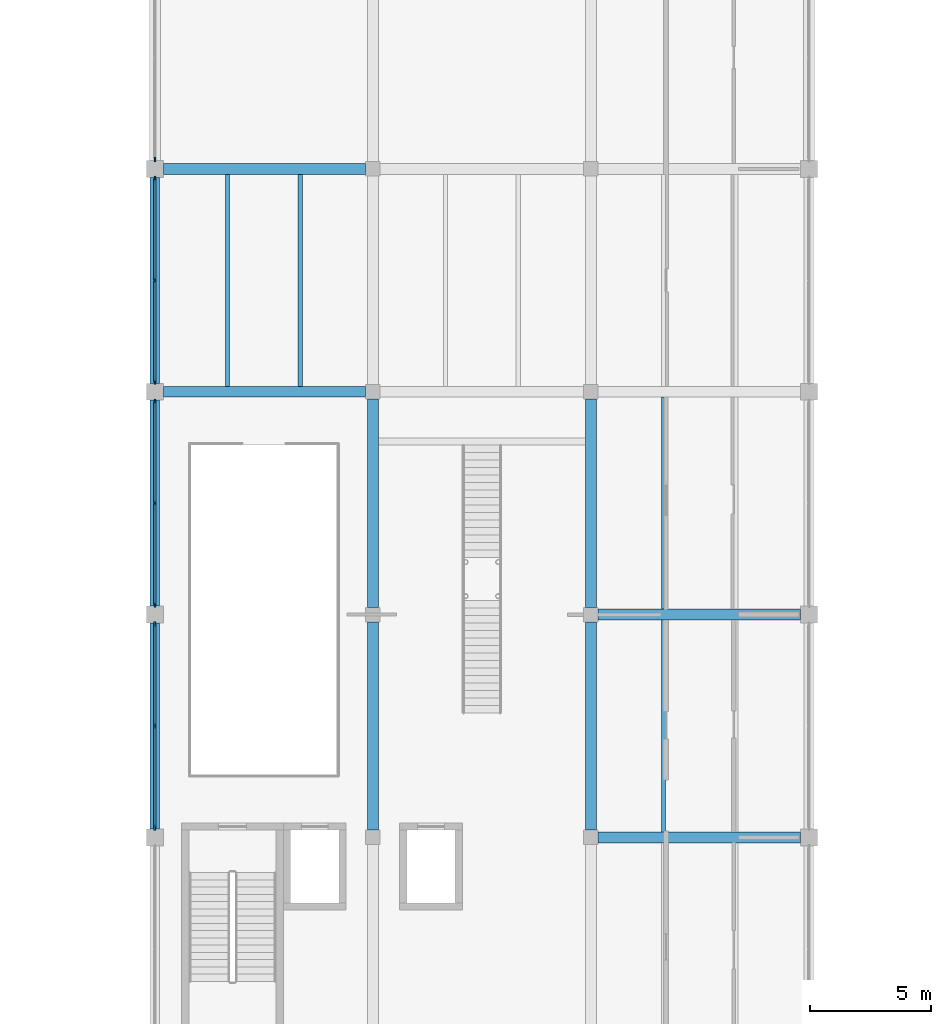
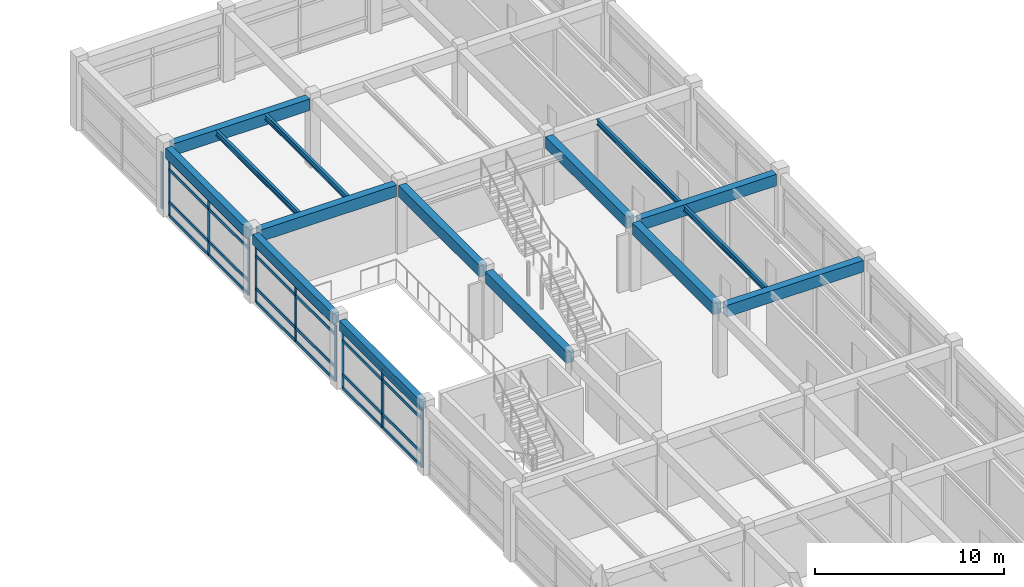
# One storey, part 33 of 90: 34 members, 15 beams, 4 elements without a shape of their own.
"""IFC4 building model written with IfcOpenShell, lengths in metres."""

from ifc_helpers import new_model, si_unit, direction, frame, origin, origin_2d, place, context, subcontext, project, spatial, rectangle, i_section, extrude, material, material_profile, profile_set, type_object, element, aggregate, save


model = new_model("IFC4")

# Units and contexts
model_context = context("Model", 3, precision=1e-05, world=origin(), true_north=direction((0.0, 1.0)))
body_context = subcontext(model_context, "Body", "Model", "MODEL_VIEW")
ifc_project = project(units=[si_unit("LENGTHUNIT", "METRE"), si_unit("AREAUNIT", "SQUARE_METRE"), si_unit("VOLUMEUNIT", "CUBIC_METRE"), si_unit("PLANEANGLEUNIT", "RADIAN"), si_unit("MASSUNIT", "GRAM", prefix="KILO")], contexts=[model_context])

# Site, building, storey
site_placement = place(None, origin())
site = spatial("IfcSite", under=ifc_project, at=site_placement, CompositionType="ELEMENT")
building_placement = place(site_placement, origin())
building = spatial("IfcBuilding", under=site, at=building_placement, Name="Bozkorgan Art Gallery", CompositionType="ELEMENT")
storey_placement = place(building_placement, frame((0.0, 0.0, 5.39990234375)))
storey = spatial("IfcBuildingStorey", under=building, at=storey_placement, Name="L01", CompositionType="ELEMENT", Elevation=5.39990234375)

# Beams
ifc_material_1 = material(Name="Concrete C35/45", Category="concrete")
ifc_material_profile_1 = material_profile(ifc_material_1, rectangle(XDim=0.449951171875, YDim=0.75, at=origin_2d()), Name="RC 450x750")
ifc_profile_set_1 = profile_set([ifc_material_profile_1], Name="Concrete C35/45")
beam_type_1 = type_object("IfcBeamType", Name="BEAM-BM-27", PredefinedType="BEAM", material=ifc_profile_set_1)
for number, where, z_axis, x_axis, name in (
    (1, (92.300048828125, 66.0, 4.065185546875), (1.0, 0.0, 0.0), (0.0, 1.0, 0.0), "V4 L01 beam X (92-101, 66.0)"),
    (2, (92.300048828125, 75.199951171875, 4.065185546875), (1.0, 0.0, 0.0), (0.0, 1.0, 0.0), "V4 L01 beam X (92-101, 75.2)"),
    (3, (74.35009765625, 84.39990234375, 4.065185546875), (1.0, 0.0, 0.0), (0.0, 1.0, 0.0), "V4 L01 beam X (74-83, 84.4)"),
    (4, (74.35009765625, 93.60009765625, 4.065185546875), (1.0, 0.0, 0.0), (0.0, 1.0, 0.0), "V4 L01 beam X (74-83, 93.6)"),
):
    element("IfcBeam", number, at=place(storey_placement, frame(where, z_axis=z_axis, x_axis=x_axis)), inside=storey, type_object=beam_type_1, Name=name, PredefinedType="BEAM", context=body_context, shape_type="SweptSolid", body=[
        extrude(rectangle(XDim=0.449951171875, YDim=0.75, at=origin_2d()), origin(), (0.0, 0.0, 1.0), 8.349853515625),
    ])
beam_1_placement = place(storey_placement, frame((83.0, 66.300048828125, 4.065185546875), z_axis=(0.0, 1.0, 0.0), x_axis=(-1.0, 0.0, 0.0)))
element("IfcBeam", 5, at=beam_1_placement, inside=storey, type_object=beam_type_1, Name="V4 L01 beam Y (83, 66.0-75.2)", PredefinedType="BEAM", context=body_context, shape_type="SweptSolid", body=[
    extrude(rectangle(XDim=0.449951171875, YDim=0.75, at=origin_2d()), origin(), (0.0, 0.0, 1.0), 8.599853515625),
])
beam_2_placement = place(storey_placement, frame((83.0, 75.5, 4.065185546875), z_axis=(0.0, 1.0, 0.0), x_axis=(-1.0, 0.0, 0.0)))
element("IfcBeam", 6, at=beam_2_placement, inside=storey, type_object=beam_type_1, Name="V4 L01 beam Y (83, 75.2-84.4)", PredefinedType="BEAM", context=body_context, shape_type="SweptSolid", body=[
    extrude(rectangle(XDim=0.449951171875, YDim=0.75, at=origin_2d()), origin(), (0.0, 0.0, 1.0), 8.60009765625),
])
beam_3_placement = place(storey_placement, frame((92.0, 66.300048828125, 4.065185546875), z_axis=(0.0, 1.0, 0.0), x_axis=(-1.0, 0.0, 0.0)))
element("IfcBeam", 7, at=beam_3_placement, inside=storey, type_object=beam_type_1, Name="V4 L01 beam Y (92, 66.0-75.2)", PredefinedType="BEAM", context=body_context, shape_type="SweptSolid", body=[
    extrude(rectangle(XDim=0.449951171875, YDim=0.75, at=origin_2d()), origin(), (0.0, 0.0, 1.0), 8.599853515625),
])
beam_4_placement = place(storey_placement, frame((92.0, 75.5, 4.065185546875), z_axis=(0.0, 1.0, 0.0), x_axis=(-1.0, 0.0, 0.0)))
element("IfcBeam", 8, at=beam_4_placement, inside=storey, type_object=beam_type_1, Name="V4 L01 beam Y (92, 75.2-84.4)", PredefinedType="BEAM", context=body_context, shape_type="SweptSolid", body=[
    extrude(rectangle(XDim=0.449951171875, YDim=0.75, at=origin_2d()), origin(), (0.0, 0.0, 1.0), 8.60009765625),
])
ifc_material_2 = material(Name="Steel S355J2", Category="steel")
ifc_material_profile_2 = material_profile(ifc_material_2, i_section(OverallWidth=0.169921875, OverallDepth=0.360107421875, WebThickness=0.008056640625, FlangeThickness=0.0126953125, FilletRadius=0.01806640625, at=origin_2d()), Name="IPE 360")
ifc_profile_set_2 = profile_set([ifc_material_profile_2], Name="Steel S355J2")
beam_type_2 = type_object("IfcBeamType", Name="BEAM-JS-98", PredefinedType="JOIST", material=ifc_profile_set_2)
for number, where, z_axis, x_axis, name in (
    (9, (77.0, 84.625, 4.260009765625), (0.0, 1.0, 0.0), (-1.0, 0.0, 0.0), "V4 L01 secondary joist (74-83, 84.4-93.6) #1"),
    (10, (80.0, 84.625, 4.260009765625), (0.0, 1.0, 0.0), (-1.0, 0.0, 0.0), "V4 L01 secondary joist (74-83, 84.4-93.6) #2"),
    (11, (95.0, 66.22509765625, 4.260009765625), (0.0, 1.0, 0.0), (-1.0, 0.0, 0.0), "V4 L01 secondary joist (92-101, 66.0-75.2) #1"),
    (12, (95.0, 75.425048828125, 4.260009765625), (0.0, 1.0, 0.0), (-1.0, 0.0, 0.0), "V4 L01 secondary joist (92-101, 75.2-84.4) #1"),
):
    element("IfcBeam", number, at=place(storey_placement, frame(where, z_axis=z_axis, x_axis=x_axis)), inside=storey, type_object=beam_type_2, Name=name, PredefinedType="JOIST", context=body_context, shape_type="SweptSolid", body=[
        extrude(i_section(OverallWidth=0.169921875, OverallDepth=0.360107421875, WebThickness=0.008056640625, FlangeThickness=0.0126953125, FilletRadius=0.01806640625, at=origin_2d()), origin(), (0.0, 0.0, 1.0), 8.75),
    ])
ifc_material_profile_3 = material_profile(ifc_material_1, rectangle(XDim=0.39990234375, YDim=0.64990234375, at=origin_2d()), Name="RC 400x650")
ifc_profile_set_3 = profile_set([ifc_material_profile_3], Name="Concrete C35/45")
beam_type_3 = type_object("IfcBeamType", Name="BEAM-SP-69", PredefinedType="SPANDREL", material=ifc_profile_set_3)
for number, where, z_axis, x_axis, name in (
    (13, (74.0, 66.35009765625, 4.114990234375), (0.0, 1.0, 0.0), (-1.0, 0.0, 0.0), "V4 L01 spandrel Y (74, 66.0-75.2)"),
    (14, (74.0, 75.550048828125, 4.114990234375), (0.0, 1.0, 0.0), (-1.0, 0.0, 0.0), "V4 L01 spandrel Y (74, 75.2-84.4)"),
    (15, (74.0, 84.75, 4.114990234375), (0.0, 1.0, 0.0), (-1.0, 0.0, 0.0), "V4 L01 spandrel Y (74, 84.4-93.6)"),
):
    element("IfcBeam", number, at=place(storey_placement, frame(where, z_axis=z_axis, x_axis=x_axis)), inside=storey, type_object=beam_type_3, Name=name, PredefinedType="SPANDREL", context=body_context, shape_type="SweptSolid", body=[
        extrude(rectangle(XDim=0.39990234375, YDim=0.64990234375, at=origin_2d()), origin(), (0.0, 0.0, 1.0), 8.5),
    ])

# Curtain wall, members
ifc_material_3 = material(Name="Anodised Bronze Aluminium", Category="aluminium")
curtain_wall_type_1 = type_object("IfcCurtainWallType", Name="CW-CW-16", PredefinedType="NOTDEFINED", material=ifc_material_3)
curtain_wall_1_placement = place(storey_placement, origin())
curtain_wall_1 = element("IfcCurtainWall", 16, at=curtain_wall_1_placement, inside=storey, type_object=curtain_wall_type_1, Name="L01 unitised curtain wall CW-V4-L01-1W-15", PredefinedType="NOTDEFINED")
ifc_material_profile_4 = material_profile(ifc_material_3, rectangle(XDim=0.06494140625, YDim=0.179931640625, at=origin_2d()), Name="ALU MULLION 65x180")
ifc_profile_set_4 = profile_set([ifc_material_profile_4], Name="Anodised Bronze Aluminium")
member_type_1 = type_object("IfcMemberType", Name="CWM-01", PredefinedType="MULLION", material=ifc_profile_set_4)
member_1_placement = place(storey_placement, frame((74.0, 75.597412109375, 0.02001953125), z_axis=(0.0, 0.0, 1.0), x_axis=(-1.0, 0.0, 0.0)))
member_1 = element("IfcMember", 17, at=member_1_placement, type_object=member_type_1, Name="CW-16 mullion 1", PredefinedType="MULLION", context=body_context, shape_type="SweptSolid", body=[
    extrude(rectangle(XDim=0.06494140625, YDim=0.179931640625, at=origin_2d()), origin(), (0.0, 0.0, 1.0), 3.655029296875),
])
member_2_placement = place(storey_placement, frame((74.0, 79.800048828125, 0.02001953125), z_axis=(0.0, 0.0, 1.0), x_axis=(-1.0, 0.0, 0.0)))
member_2 = element("IfcMember", 18, at=member_2_placement, type_object=member_type_1, Name="CW-16 mullion 2", PredefinedType="MULLION", context=body_context, shape_type="SweptSolid", body=[
    extrude(rectangle(XDim=0.06494140625, YDim=0.179931640625, at=origin_2d()), origin(), (0.0, 0.0, 1.0), 3.655029296875),
])
member_3_placement = place(storey_placement, frame((74.0, 84.00244140625, 0.02001953125), z_axis=(0.0, 0.0, 1.0), x_axis=(-1.0, 0.0, 0.0)))
member_3 = element("IfcMember", 19, at=member_3_placement, type_object=member_type_1, Name="CW-16 mullion 3", PredefinedType="MULLION", context=body_context, shape_type="SweptSolid", body=[
    extrude(rectangle(XDim=0.06494140625, YDim=0.179931640625, at=origin_2d()), origin(), (0.0, 0.0, 1.0), 3.655029296875),
])

curtain_wall_2_placement = place(storey_placement, origin())
curtain_wall_2 = element("IfcCurtainWall", 20, at=curtain_wall_2_placement, inside=storey, type_object=curtain_wall_type_1, Name="L01 unitised curtain wall CW-V4-L01-1W-17", PredefinedType="NOTDEFINED")
member_4_placement = place(storey_placement, frame((74.0, 84.797607421875, 0.02001953125), z_axis=(0.0, 0.0, 1.0), x_axis=(-1.0, 0.0, 0.0)))
member_4 = element("IfcMember", 21, at=member_4_placement, type_object=member_type_1, Name="CW-16 mullion 1", PredefinedType="MULLION", context=body_context, shape_type="SweptSolid", body=[
    extrude(rectangle(XDim=0.06494140625, YDim=0.179931640625, at=origin_2d()), origin(), (0.0, 0.0, 1.0), 3.655029296875),
])
member_5_placement = place(storey_placement, frame((74.0, 89.0, 0.02001953125), z_axis=(0.0, 0.0, 1.0), x_axis=(-1.0, 0.0, 0.0)))
member_5 = element("IfcMember", 22, at=member_5_placement, type_object=member_type_1, Name="CW-16 mullion 2", PredefinedType="MULLION", context=body_context, shape_type="SweptSolid", body=[
    extrude(rectangle(XDim=0.06494140625, YDim=0.179931640625, at=origin_2d()), origin(), (0.0, 0.0, 1.0), 3.655029296875),
])
member_6_placement = place(storey_placement, frame((74.0, 93.202392578125, 0.02001953125), z_axis=(0.0, 0.0, 1.0), x_axis=(-1.0, 0.0, 0.0)))
member_6 = element("IfcMember", 23, at=member_6_placement, type_object=member_type_1, Name="CW-16 mullion 3", PredefinedType="MULLION", context=body_context, shape_type="SweptSolid", body=[
    extrude(rectangle(XDim=0.06494140625, YDim=0.179931640625, at=origin_2d()), origin(), (0.0, 0.0, 1.0), 3.655029296875),
])

# Curtain wall, member
curtain_wall_3_placement = place(storey_placement, origin())
curtain_wall_3 = element("IfcCurtainWall", 24, at=curtain_wall_3_placement, inside=storey, type_object=curtain_wall_type_1, Name="L01 unitised curtain wall CW-V4-L01-1W-19", PredefinedType="NOTDEFINED")
member_7_placement = place(storey_placement, frame((74.0, 93.99755859375, 0.02001953125), z_axis=(0.0, 0.0, 1.0), x_axis=(-1.0, 0.0, 0.0)))
member_7 = element("IfcMember", 25, at=member_7_placement, type_object=member_type_1, Name="CW-16 mullion 1", PredefinedType="MULLION", context=body_context, shape_type="SweptSolid", body=[
    extrude(rectangle(XDim=0.06494140625, YDim=0.179931640625, at=origin_2d()), origin(), (0.0, 0.0, 1.0), 3.655029296875),
])
aggregate(curtain_wall_3, [member_7])

# Curtain wall, members
curtain_wall_type_2 = type_object("IfcCurtainWallType", Name="CW-CW-24", PredefinedType="NOTDEFINED", material=ifc_material_3)
curtain_wall_4_placement = place(storey_placement, origin())
curtain_wall_4 = element("IfcCurtainWall", 26, at=curtain_wall_4_placement, inside=storey, type_object=curtain_wall_type_2, Name="L01 unitised curtain wall CW-V4-L01-1W-13", PredefinedType="NOTDEFINED")
ifc_material_profile_5 = material_profile(ifc_material_3, rectangle(XDim=0.074951171875, YDim=0.219970703125, at=origin_2d()), Name="ALU MULLION 75x220")
ifc_profile_set_5 = profile_set([ifc_material_profile_5], Name="Anodised Bronze Aluminium")
member_type_2 = type_object("IfcMemberType", Name="CWM-02", PredefinedType="MULLION", material=ifc_profile_set_5)
member_8_placement = place(storey_placement, frame((74.0, 66.402587890625, 0.02001953125), z_axis=(0.0, 0.0, 1.0), x_axis=(-1.0, 0.0, 0.0)))
member_8 = element("IfcMember", 27, at=member_8_placement, type_object=member_type_2, Name="CW-24 mullion 1", PredefinedType="MULLION", context=body_context, shape_type="SweptSolid", body=[
    extrude(rectangle(XDim=0.074951171875, YDim=0.219970703125, at=origin_2d()), origin(), (0.0, 0.0, 1.0), 3.755126953125),
])
member_9_placement = place(storey_placement, frame((74.0, 70.60009765625, 0.02001953125), z_axis=(0.0, 0.0, 1.0), x_axis=(-1.0, 0.0, 0.0)))
member_9 = element("IfcMember", 28, at=member_9_placement, type_object=member_type_2, Name="CW-24 mullion 2", PredefinedType="MULLION", context=body_context, shape_type="SweptSolid", body=[
    extrude(rectangle(XDim=0.074951171875, YDim=0.219970703125, at=origin_2d()), origin(), (0.0, 0.0, 1.0), 3.755126953125),
])
member_10_placement = place(storey_placement, frame((74.0, 74.797607421875, 0.02001953125), z_axis=(0.0, 0.0, 1.0), x_axis=(-1.0, 0.0, 0.0)))
member_10 = element("IfcMember", 29, at=member_10_placement, type_object=member_type_2, Name="CW-24 mullion 3", PredefinedType="MULLION", context=body_context, shape_type="SweptSolid", body=[
    extrude(rectangle(XDim=0.074951171875, YDim=0.219970703125, at=origin_2d()), origin(), (0.0, 0.0, 1.0), 3.755126953125),
])
ifc_material_profile_6 = material_profile(ifc_material_3, rectangle(XDim=0.080078125, YDim=0.199951171875, at=origin_2d()), Name="ALU TRANSOM 80x200")
ifc_profile_set_6 = profile_set([ifc_material_profile_6], Name="Anodised Bronze Aluminium")
member_type_3 = type_object("IfcMemberType", Name="CWT-03", PredefinedType="USERDEFINED", material=ifc_profile_set_6)
member_11_placement = place(storey_placement, frame((74.0, 66.43994140625, 0.06005859375), z_axis=(0.0, 1.0, 0.0), x_axis=(-1.0, 0.0, 0.0)))
member_11 = element("IfcMember", 30, at=member_11_placement, type_object=member_type_3, Name="CW-24 transom 1.1", ObjectType="TRANSOM", PredefinedType="USERDEFINED", context=body_context, shape_type="SweptSolid", body=[
    extrude(rectangle(XDim=0.080078125, YDim=0.199951171875, at=origin_2d()), origin(), (0.0, 0.0, 1.0), 4.12255859375),
])
member_12_placement = place(storey_placement, frame((74.0, 66.43994140625, 0.920166015625), z_axis=(0.0, 1.0, 0.0), x_axis=(-1.0, 0.0, 0.0)))
member_12 = element("IfcMember", 31, at=member_12_placement, type_object=member_type_3, Name="CW-24 transom 1.2", ObjectType="TRANSOM", PredefinedType="USERDEFINED", context=body_context, shape_type="SweptSolid", body=[
    extrude(rectangle(XDim=0.080078125, YDim=0.199951171875, at=origin_2d()), origin(), (0.0, 0.0, 1.0), 4.12255859375),
])
member_13_placement = place(storey_placement, frame((74.0, 66.43994140625, 3.125), z_axis=(0.0, 1.0, 0.0), x_axis=(-1.0, 0.0, 0.0)))
member_13 = element("IfcMember", 32, at=member_13_placement, type_object=member_type_3, Name="CW-24 transom 1.3", ObjectType="TRANSOM", PredefinedType="USERDEFINED", context=body_context, shape_type="SweptSolid", body=[
    extrude(rectangle(XDim=0.080078125, YDim=0.199951171875, at=origin_2d()), origin(), (0.0, 0.0, 1.0), 4.12255859375),
])
member_14_placement = place(storey_placement, frame((74.0, 66.43994140625, 3.735107421875), z_axis=(0.0, 1.0, 0.0), x_axis=(-1.0, 0.0, 0.0)))
member_14 = element("IfcMember", 33, at=member_14_placement, type_object=member_type_3, Name="CW-24 transom 1.4", ObjectType="TRANSOM", PredefinedType="USERDEFINED", context=body_context, shape_type="SweptSolid", body=[
    extrude(rectangle(XDim=0.080078125, YDim=0.199951171875, at=origin_2d()), origin(), (0.0, 0.0, 1.0), 4.12255859375),
])
member_15_placement = place(storey_placement, frame((74.0, 70.637451171875, 0.06005859375), z_axis=(0.0, 1.0, 0.0), x_axis=(-1.0, 0.0, 0.0)))
member_15 = element("IfcMember", 34, at=member_15_placement, type_object=member_type_3, Name="CW-24 transom 2.1", ObjectType="TRANSOM", PredefinedType="USERDEFINED", context=body_context, shape_type="SweptSolid", body=[
    extrude(rectangle(XDim=0.080078125, YDim=0.199951171875, at=origin_2d()), origin(), (0.0, 0.0, 1.0), 4.12255859375),
])
member_16_placement = place(storey_placement, frame((74.0, 70.637451171875, 0.920166015625), z_axis=(0.0, 1.0, 0.0), x_axis=(-1.0, 0.0, 0.0)))
member_16 = element("IfcMember", 35, at=member_16_placement, type_object=member_type_3, Name="CW-24 transom 2.2", ObjectType="TRANSOM", PredefinedType="USERDEFINED", context=body_context, shape_type="SweptSolid", body=[
    extrude(rectangle(XDim=0.080078125, YDim=0.199951171875, at=origin_2d()), origin(), (0.0, 0.0, 1.0), 4.12255859375),
])
member_17_placement = place(storey_placement, frame((74.0, 70.637451171875, 3.125), z_axis=(0.0, 1.0, 0.0), x_axis=(-1.0, 0.0, 0.0)))
member_17 = element("IfcMember", 36, at=member_17_placement, type_object=member_type_3, Name="CW-24 transom 2.3", ObjectType="TRANSOM", PredefinedType="USERDEFINED", context=body_context, shape_type="SweptSolid", body=[
    extrude(rectangle(XDim=0.080078125, YDim=0.199951171875, at=origin_2d()), origin(), (0.0, 0.0, 1.0), 4.12255859375),
])
member_18_placement = place(storey_placement, frame((74.0, 70.637451171875, 3.735107421875), z_axis=(0.0, 1.0, 0.0), x_axis=(-1.0, 0.0, 0.0)))
member_18 = element("IfcMember", 37, at=member_18_placement, type_object=member_type_3, Name="CW-24 transom 2.4", ObjectType="TRANSOM", PredefinedType="USERDEFINED", context=body_context, shape_type="SweptSolid", body=[
    extrude(rectangle(XDim=0.080078125, YDim=0.199951171875, at=origin_2d()), origin(), (0.0, 0.0, 1.0), 4.12255859375),
])
aggregate(curtain_wall_4, [member_8, member_9, member_10, member_11, member_12, member_13, member_14, member_15, member_16, member_17, member_18])

# Member
member_19_placement = place(storey_placement, frame((74.0, 75.6298828125, 0.06005859375), z_axis=(0.0, 1.0, 0.0), x_axis=(-1.0, 0.0, 0.0)))
member_19 = element("IfcMember", 38, at=member_19_placement, type_object=member_type_3, Name="CW-16 transom 1.1", ObjectType="TRANSOM", PredefinedType="USERDEFINED", context=body_context, shape_type="SweptSolid", body=[
    extrude(rectangle(XDim=0.080078125, YDim=0.199951171875, at=origin_2d()), origin(), (0.0, 0.0, 1.0), 4.1376953125),
])

member_20_placement = place(storey_placement, frame((74.0, 75.6298828125, 0.920166015625), z_axis=(0.0, 1.0, 0.0), x_axis=(-1.0, 0.0, 0.0)))
member_20 = element("IfcMember", 39, at=member_20_placement, type_object=member_type_3, Name="CW-16 transom 1.2", ObjectType="TRANSOM", PredefinedType="USERDEFINED", context=body_context, shape_type="SweptSolid", body=[
    extrude(rectangle(XDim=0.080078125, YDim=0.199951171875, at=origin_2d()), origin(), (0.0, 0.0, 1.0), 4.1376953125),
])

member_21_placement = place(storey_placement, frame((74.0, 75.6298828125, 3.025146484375), z_axis=(0.0, 1.0, 0.0), x_axis=(-1.0, 0.0, 0.0)))
member_21 = element("IfcMember", 40, at=member_21_placement, type_object=member_type_3, Name="CW-16 transom 1.3", ObjectType="TRANSOM", PredefinedType="USERDEFINED", context=body_context, shape_type="SweptSolid", body=[
    extrude(rectangle(XDim=0.080078125, YDim=0.199951171875, at=origin_2d()), origin(), (0.0, 0.0, 1.0), 4.1376953125),
])

member_22_placement = place(storey_placement, frame((74.0, 75.6298828125, 3.635009765625), z_axis=(0.0, 1.0, 0.0), x_axis=(-1.0, 0.0, 0.0)))
member_22 = element("IfcMember", 41, at=member_22_placement, type_object=member_type_3, Name="CW-16 transom 1.4", ObjectType="TRANSOM", PredefinedType="USERDEFINED", context=body_context, shape_type="SweptSolid", body=[
    extrude(rectangle(XDim=0.080078125, YDim=0.199951171875, at=origin_2d()), origin(), (0.0, 0.0, 1.0), 4.1376953125),
])

member_23_placement = place(storey_placement, frame((74.0, 79.83251953125, 0.06005859375), z_axis=(0.0, 1.0, 0.0), x_axis=(-1.0, 0.0, 0.0)))
member_23 = element("IfcMember", 42, at=member_23_placement, type_object=member_type_3, Name="CW-16 transom 2.1", ObjectType="TRANSOM", PredefinedType="USERDEFINED", context=body_context, shape_type="SweptSolid", body=[
    extrude(rectangle(XDim=0.080078125, YDim=0.199951171875, at=origin_2d()), origin(), (0.0, 0.0, 1.0), 4.137451171875),
])

member_24_placement = place(storey_placement, frame((74.0, 79.83251953125, 0.920166015625), z_axis=(0.0, 1.0, 0.0), x_axis=(-1.0, 0.0, 0.0)))
member_24 = element("IfcMember", 43, at=member_24_placement, type_object=member_type_3, Name="CW-16 transom 2.2", ObjectType="TRANSOM", PredefinedType="USERDEFINED", context=body_context, shape_type="SweptSolid", body=[
    extrude(rectangle(XDim=0.080078125, YDim=0.199951171875, at=origin_2d()), origin(), (0.0, 0.0, 1.0), 4.137451171875),
])

member_25_placement = place(storey_placement, frame((74.0, 79.83251953125, 3.025146484375), z_axis=(0.0, 1.0, 0.0), x_axis=(-1.0, 0.0, 0.0)))
member_25 = element("IfcMember", 44, at=member_25_placement, type_object=member_type_3, Name="CW-16 transom 2.3", ObjectType="TRANSOM", PredefinedType="USERDEFINED", context=body_context, shape_type="SweptSolid", body=[
    extrude(rectangle(XDim=0.080078125, YDim=0.199951171875, at=origin_2d()), origin(), (0.0, 0.0, 1.0), 4.137451171875),
])

member_26_placement = place(storey_placement, frame((74.0, 79.83251953125, 3.635009765625), z_axis=(0.0, 1.0, 0.0), x_axis=(-1.0, 0.0, 0.0)))
member_26 = element("IfcMember", 45, at=member_26_placement, type_object=member_type_3, Name="CW-16 transom 2.4", ObjectType="TRANSOM", PredefinedType="USERDEFINED", context=body_context, shape_type="SweptSolid", body=[
    extrude(rectangle(XDim=0.080078125, YDim=0.199951171875, at=origin_2d()), origin(), (0.0, 0.0, 1.0), 4.137451171875),
])

aggregate(curtain_wall_1, [member_1, member_2, member_3, member_19, member_20, member_21, member_22, member_23, member_24, member_25, member_26])

member_27_placement = place(storey_placement, frame((74.0, 84.830078125, 0.06005859375), z_axis=(0.0, 1.0, 0.0), x_axis=(-1.0, 0.0, 0.0)))
member_27 = element("IfcMember", 46, at=member_27_placement, type_object=member_type_3, Name="CW-16 transom 1.1", ObjectType="TRANSOM", PredefinedType="USERDEFINED", context=body_context, shape_type="SweptSolid", body=[
    extrude(rectangle(XDim=0.080078125, YDim=0.199951171875, at=origin_2d()), origin(), (0.0, 0.0, 1.0), 4.137451171875),
])

member_28_placement = place(storey_placement, frame((74.0, 84.830078125, 0.920166015625), z_axis=(0.0, 1.0, 0.0), x_axis=(-1.0, 0.0, 0.0)))
member_28 = element("IfcMember", 47, at=member_28_placement, type_object=member_type_3, Name="CW-16 transom 1.2", ObjectType="TRANSOM", PredefinedType="USERDEFINED", context=body_context, shape_type="SweptSolid", body=[
    extrude(rectangle(XDim=0.080078125, YDim=0.199951171875, at=origin_2d()), origin(), (0.0, 0.0, 1.0), 4.137451171875),
])

member_29_placement = place(storey_placement, frame((74.0, 84.830078125, 3.025146484375), z_axis=(0.0, 1.0, 0.0), x_axis=(-1.0, 0.0, 0.0)))
member_29 = element("IfcMember", 48, at=member_29_placement, type_object=member_type_3, Name="CW-16 transom 1.3", ObjectType="TRANSOM", PredefinedType="USERDEFINED", context=body_context, shape_type="SweptSolid", body=[
    extrude(rectangle(XDim=0.080078125, YDim=0.199951171875, at=origin_2d()), origin(), (0.0, 0.0, 1.0), 4.137451171875),
])

member_30_placement = place(storey_placement, frame((74.0, 84.830078125, 3.635009765625), z_axis=(0.0, 1.0, 0.0), x_axis=(-1.0, 0.0, 0.0)))
member_30 = element("IfcMember", 49, at=member_30_placement, type_object=member_type_3, Name="CW-16 transom 1.4", ObjectType="TRANSOM", PredefinedType="USERDEFINED", context=body_context, shape_type="SweptSolid", body=[
    extrude(rectangle(XDim=0.080078125, YDim=0.199951171875, at=origin_2d()), origin(), (0.0, 0.0, 1.0), 4.137451171875),
])

member_31_placement = place(storey_placement, frame((74.0, 89.032470703125, 0.06005859375), z_axis=(0.0, 1.0, 0.0), x_axis=(-1.0, 0.0, 0.0)))
member_31 = element("IfcMember", 50, at=member_31_placement, type_object=member_type_3, Name="CW-16 transom 2.1", ObjectType="TRANSOM", PredefinedType="USERDEFINED", context=body_context, shape_type="SweptSolid", body=[
    extrude(rectangle(XDim=0.080078125, YDim=0.199951171875, at=origin_2d()), origin(), (0.0, 0.0, 1.0), 4.137451171875),
])

member_32_placement = place(storey_placement, frame((74.0, 89.032470703125, 0.920166015625), z_axis=(0.0, 1.0, 0.0), x_axis=(-1.0, 0.0, 0.0)))
member_32 = element("IfcMember", 51, at=member_32_placement, type_object=member_type_3, Name="CW-16 transom 2.2", ObjectType="TRANSOM", PredefinedType="USERDEFINED", context=body_context, shape_type="SweptSolid", body=[
    extrude(rectangle(XDim=0.080078125, YDim=0.199951171875, at=origin_2d()), origin(), (0.0, 0.0, 1.0), 4.137451171875),
])

member_33_placement = place(storey_placement, frame((74.0, 89.032470703125, 3.025146484375), z_axis=(0.0, 1.0, 0.0), x_axis=(-1.0, 0.0, 0.0)))
member_33 = element("IfcMember", 52, at=member_33_placement, type_object=member_type_3, Name="CW-16 transom 2.3", ObjectType="TRANSOM", PredefinedType="USERDEFINED", context=body_context, shape_type="SweptSolid", body=[
    extrude(rectangle(XDim=0.080078125, YDim=0.199951171875, at=origin_2d()), origin(), (0.0, 0.0, 1.0), 4.137451171875),
])

member_34_placement = place(storey_placement, frame((74.0, 89.032470703125, 3.635009765625), z_axis=(0.0, 1.0, 0.0), x_axis=(-1.0, 0.0, 0.0)))
member_34 = element("IfcMember", 53, at=member_34_placement, type_object=member_type_3, Name="CW-16 transom 2.4", ObjectType="TRANSOM", PredefinedType="USERDEFINED", context=body_context, shape_type="SweptSolid", body=[
    extrude(rectangle(XDim=0.080078125, YDim=0.199951171875, at=origin_2d()), origin(), (0.0, 0.0, 1.0), 4.137451171875),
])

aggregate(curtain_wall_2, [member_4, member_5, member_6, member_27, member_28, member_29, member_30, member_31, member_32, member_33, member_34])

save(model, "model.ifc")
